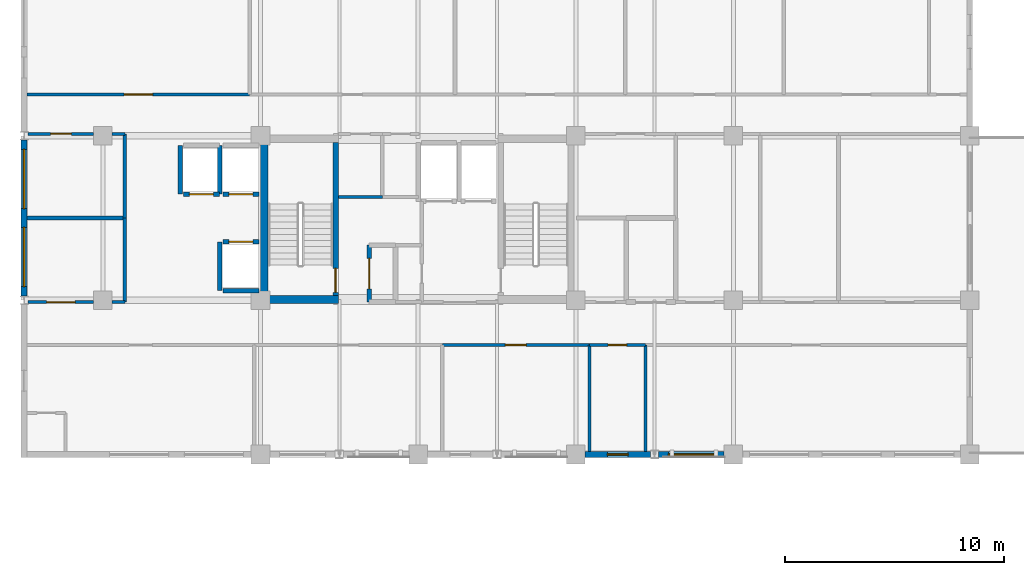
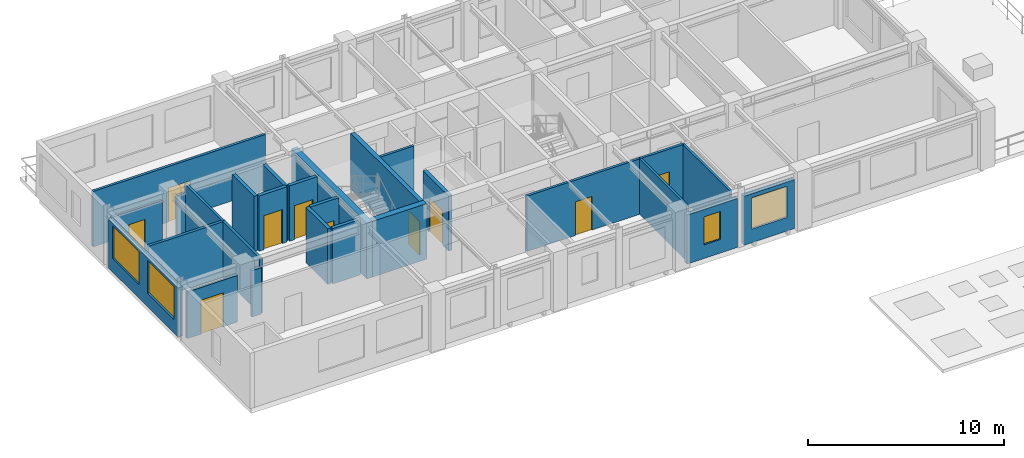
# One storey, part 3 of 8: 27 walls, 10 doors, 4 windows, 14 openings.
"""IFC4 building model written with IfcOpenShell, lengths in metres."""

from ifc_helpers import new_model, si_unit, direction, frame, frame_2d, origin, place, context, subcontext, project, spatial, rectangle, extrude, material, layer, layer_set, type_object, element, fill, save


model = new_model("IFC4")

# Units and contexts
model_context = context("Model", 3, precision=1e-05, world=origin(), true_north=direction((0.0, 1.0)))
body_context = subcontext(model_context, "Body", "Model", "MODEL_VIEW")
ifc_project = project(units=[si_unit("LENGTHUNIT", "METRE"), si_unit("AREAUNIT", "SQUARE_METRE"), si_unit("VOLUMEUNIT", "CUBIC_METRE"), si_unit("PLANEANGLEUNIT", "RADIAN"), si_unit("MASSUNIT", "GRAM", prefix="KILO")], contexts=[model_context])

# Site, building, storey
site_placement = place(None, origin())
site = spatial("IfcSite", under=ifc_project, at=site_placement, CompositionType="ELEMENT")
building_placement = place(site_placement, origin())
building = spatial("IfcBuilding", under=site, at=building_placement, Name="Kaliganga Portal Commons", CompositionType="ELEMENT")
storey_placement = place(building_placement, frame((0.0, 0.0, 249.89990234375)))
storey = spatial("IfcBuildingStorey", under=building, at=storey_placement, Name="L64", CompositionType="ELEMENT", Elevation=249.89990234375)

# Walls
ifc_material_1 = material(Name="Concrete C50/60", Category="concrete")
ifc_layer_1 = layer(ifc_material_1, 0.35009765625)
ifc_layer_set_1 = layer_set([ifc_layer_1], Name="Concrete C50/60")
wall_type_1 = type_object("IfcWallType", Name="WL-CORE-350", PredefinedType="SHEAR", material=ifc_layer_set_1)
wall_1_placement = place(storey_placement, frame((14.574951171875, 28.5, 0.0), z_axis=(0.0, 0.0, 1.0), x_axis=(0.0, 1.0, 0.0)))
element("IfcWall", 1, at=wall_1_placement, inside=storey, type_object=wall_type_1, Name="Core A West Shear Wall L64", PredefinedType="SHEAR", context=body_context, shape_type="SweptSolid", body=[
    extrude(rectangle(XDim=7.699951171875, YDim=0.35009765625, at=frame_2d((3.85009765625, 0.0))), origin(), (0.0, 0.0, 1.0), 3.47509765625),
])
wall_2_placement = place(storey_placement, frame((14.75, 28.675048828125, 0.0), z_axis=(0.0, 0.0, 1.0), x_axis=(1.0, 0.0, 0.0)))
element("IfcWall", 2, at=wall_2_placement, inside=storey, type_object=wall_type_1, Name="Core A S-West Shear Wall L64", PredefinedType="SHEAR", context=body_context, shape_type="SweptSolid", body=[
    extrude(rectangle(XDim=3.199951171875, YDim=0.35009765625, at=frame_2d((1.60009765625, 0.0))), origin(), (0.0, 0.0, 1.0), 3.47509765625),
])

# Wall, opening, window
ifc_material_2 = material(Name="Insulated Aluminium-Clad Spandrel Assembly", Category="aluminium")
ifc_layer_2 = layer(ifc_material_2, 0.260009765625)
ifc_layer_set_2 = layer_set([ifc_layer_2], Name="Insulated Aluminium-Clad Spandrel Assembly")
wall_type_2 = type_object("IfcWallType", Name="WL-EXT-SPAND-260", PredefinedType="STANDARD", material=ifc_layer_set_2)
wall_3_placement = place(storey_placement, frame((32.2119140625, 21.60009765625, 0.0), z_axis=(0.0, 0.0, 1.0), x_axis=(-1.0, 0.0, 0.0)))
wall_3 = element("IfcWall", 3, at=wall_3_placement, inside=storey, type_object=wall_type_2, Name="Exterior Envelope Wall L64 P1-E00-S6", PredefinedType="STANDARD", context=body_context, shape_type="SweptSolid", body=[
    extrude(rectangle(XDim=2.98583984375, YDim=0.260009765625, at=frame_2d((1.492919921875, 0.0))), origin(), (0.0, 0.0, 1.0), 3.05517578125),
])
opening_1_placement = place(wall_3_placement, frame((1.01806640625, 0.0, 0.85009765625)))
opening_1 = element("IfcOpeningElement", 4, at=opening_1_placement, cuts=wall_3, Name="Opening W-04", PredefinedType="OPENING", context=body_context, shape_type="SweptSolid", body=[
    extrude(rectangle(XDim=0.949951171875, YDim=1.75, at=frame_2d((0.47509765625, 0.875))), frame((0.0, 0.14013671875, 0.0), z_axis=(0.0, -1.0, 0.0), x_axis=(1.0, 0.0, 0.0)), (0.0, 0.0, 1.0), 0.280029296875),
])
ifc_material_3 = material(Name="Thermally Broken Aluminium and Low-E Double Glazing", Category="aluminium")
window_type_1 = type_object("IfcWindowType", Name="WIN-NARROW-950", PartitioningType="SINGLE_PANEL", PredefinedType="WINDOW", material=ifc_material_3)
window_1_placement = place(opening_1_placement, origin())
window_1 = element("IfcWindow", 5, at=window_1_placement, inside=storey, type_object=window_type_1, Name="Facade Window L64-P1E00S6-N0", OverallHeight=1.75, OverallWidth=0.949951171875, PartitioningType="SINGLE_PANEL", PredefinedType="WINDOW", context=body_context, shape_type="SweptSolid", body=[
    extrude(rectangle(XDim=0.949951171875, YDim=1.75, at=frame_2d((0.47509765625, 0.875))), frame((0.0, 0.030029296875, 0.0), z_axis=(0.0, -1.0, 0.0), x_axis=(1.0, 0.0, 0.0)), (0.0, 0.0, 1.0), 0.06005859375),
])
fill(opening_1, window_1)

wall_4_placement = place(storey_placement, frame((35.573974609375, 21.60009765625, 0.0), z_axis=(0.0, 0.0, 1.0), x_axis=(-1.0, 0.0, 0.0)))
wall_4 = element("IfcWall", 6, at=wall_4_placement, inside=storey, type_object=wall_type_2, Name="Exterior Envelope Wall L64 P1-E00-S7", PredefinedType="STANDARD", context=body_context, shape_type="SweptSolid", body=[
    extrude(rectangle(XDim=2.986083984375, YDim=0.260009765625, at=frame_2d((1.4931640625, 0.0))), origin(), (0.0, 0.0, 1.0), 3.05517578125),
])
opening_2_placement = place(wall_4_placement, frame((0.443115234375, 0.0, 0.85009765625)))
opening_2 = element("IfcOpeningElement", 7, at=opening_2_placement, cuts=wall_4, Name="Opening W-06", PredefinedType="OPENING", context=body_context, shape_type="SweptSolid", body=[
    extrude(rectangle(XDim=2.10009765625, YDim=1.949951171875, at=frame_2d((1.050048828125, 0.97509765625))), frame((0.0, 0.14013671875, 0.0), z_axis=(0.0, -1.0, 0.0), x_axis=(1.0, 0.0, 0.0)), (0.0, 0.0, 1.0), 0.280029296875),
])
window_type_2 = type_object("IfcWindowType", Name="WIN-PAN-2100", PartitioningType="DOUBLE_PANEL_VERTICAL", PredefinedType="WINDOW", material=ifc_material_3)
window_2_placement = place(opening_2_placement, origin())
window_2 = element("IfcWindow", 8, at=window_2_placement, inside=storey, type_object=window_type_2, Name="Facade Window L64-P1E00S7-00", OverallHeight=1.949951171875, OverallWidth=2.10009765625, PartitioningType="SINGLE_PANEL", PredefinedType="WINDOW", context=body_context, shape_type="SweptSolid", body=[
    extrude(rectangle(XDim=2.10009765625, YDim=1.949951171875, at=frame_2d((1.050048828125, 0.97509765625))), frame((0.0, 0.030029296875, 0.0), z_axis=(0.0, -1.0, 0.0), x_axis=(1.0, 0.0, 0.0)), (0.0, 0.0, 1.0), 0.06005859375),
])
fill(opening_2, window_2)

# Wall, openings, windows
wall_5_placement = place(storey_placement, frame((3.60009765625, 28.8369140625, 0.0), z_axis=(0.0, 0.0, 1.0), x_axis=(0.0, 1.0, 0.0)))
wall_5 = element("IfcWall", 9, at=wall_5_placement, inside=storey, type_object=wall_type_2, Name="Exterior Envelope Wall L64 P1-E03-S2", PredefinedType="STANDARD", context=body_context, shape_type="SweptSolid", body=[
    extrude(rectangle(XDim=7.1259765625, YDim=0.260009765625, at=frame_2d((3.56298828125, 0.0))), origin(), (0.0, 0.0, 1.0), 3.05517578125),
])
opening_3_placement = place(wall_5_placement, frame((0.431396484375, 0.0, 0.85009765625)))
opening_3 = element("IfcOpeningElement", 10, at=opening_3_placement, cuts=wall_5, Name="Opening W-07", PredefinedType="OPENING", context=body_context, shape_type="SweptSolid", body=[
    extrude(rectangle(XDim=2.699951171875, YDim=2.050048828125, at=frame_2d((1.35009765625, 1.02490234375))), frame((0.0, 0.14013671875, 0.0), z_axis=(0.0, -1.0, 0.0), x_axis=(1.0, 0.0, 0.0)), (0.0, 0.0, 1.0), 0.280029296875),
])
opening_4_placement = place(wall_5_placement, frame((3.994384765625, 0.0, 0.85009765625)))
opening_4 = element("IfcOpeningElement", 11, at=opening_4_placement, cuts=wall_5, Name="Opening W-07", PredefinedType="OPENING", context=body_context, shape_type="SweptSolid", body=[
    extrude(rectangle(XDim=2.699951171875, YDim=2.050048828125, at=frame_2d((1.35009765625, 1.02490234375))), frame((0.0, 0.14013671875, 0.0), z_axis=(0.0, -1.0, 0.0), x_axis=(1.0, 0.0, 0.0)), (0.0, 0.0, 1.0), 0.280029296875),
])
window_type_3 = type_object("IfcWindowType", Name="WIN-LOUNGE-2700", PartitioningType="TRIPLE_PANEL_VERTICAL", PredefinedType="WINDOW", material=ifc_material_3)
window_3_placement = place(opening_3_placement, origin())
window_3 = element("IfcWindow", 12, at=window_3_placement, inside=storey, type_object=window_type_3, Name="Facade Window L64-P1E03S2-00", OverallHeight=2.050048828125, OverallWidth=2.699951171875, PartitioningType="SINGLE_PANEL", PredefinedType="WINDOW", context=body_context, shape_type="SweptSolid", body=[
    extrude(rectangle(XDim=2.699951171875, YDim=2.050048828125, at=frame_2d((1.35009765625, 1.02490234375))), frame((0.0, 0.030029296875, 0.0), z_axis=(0.0, -1.0, 0.0), x_axis=(1.0, 0.0, 0.0)), (0.0, 0.0, 1.0), 0.06005859375),
])
fill(opening_3, window_3)
window_4_placement = place(opening_4_placement, origin())
window_4 = element("IfcWindow", 13, at=window_4_placement, inside=storey, type_object=window_type_3, Name="Facade Window L64-P1E03S2-01", OverallHeight=2.050048828125, OverallWidth=2.699951171875, PartitioningType="SINGLE_PANEL", PredefinedType="WINDOW", context=body_context, shape_type="SweptSolid", body=[
    extrude(rectangle(XDim=2.699951171875, YDim=2.050048828125, at=frame_2d((1.35009765625, 1.02490234375))), frame((0.0, 0.030029296875, 0.0), z_axis=(0.0, -1.0, 0.0), x_axis=(1.0, 0.0, 0.0)), (0.0, 0.0, 1.0), 0.06005859375),
])
fill(opening_4, window_4)

# Wall, opening, door
ifc_material_4 = material(Name="Fire-Rated Gypsum Board on Steel Stud", Category="steel")
ifc_layer_3 = layer(ifc_material_4, 0.14990234375)
ifc_layer_set_3 = layer_set([ifc_layer_3], Name="Fire-Rated Gypsum Board on Steel Stud")
wall_type_3 = type_object("IfcWallType", Name="WL-PART-CORR-150", PredefinedType="PARTITIONING", material=ifc_layer_set_3)
wall_6_placement = place(storey_placement, frame((3.73193359375, 38.0400390625, 0.0), z_axis=(0.0, 0.0, 1.0), x_axis=(1.0, 0.0, 0.0)))
wall_6 = element("IfcWall", 14, at=wall_6_placement, inside=storey, type_object=wall_type_3, Name="Interior Partition L64-005", PredefinedType="PARTITIONING", context=body_context, shape_type="SweptSolid", body=[
    extrude(rectangle(XDim=10.16796875, YDim=0.14990234375, at=frame_2d((5.083984375, 0.0))), origin(), (0.0, 0.0, 1.0), 3.455078125),
])
opening_5_placement = place(wall_6_placement, frame((4.43408203125, 0.0, 0.0)))
opening_5 = element("IfcOpeningElement", 15, at=opening_5_placement, cuts=wall_6, Name="Opening RD-03", PredefinedType="OPENING", context=body_context, shape_type="SweptSolid", body=[
    extrude(rectangle(XDim=1.300048828125, YDim=2.1201171875, at=frame_2d((0.64990234375, 1.06005859375))), frame((0.0, 0.0849609375, 0.0), z_axis=(0.0, -1.0, 0.0), x_axis=(1.0, 0.0, 0.0)), (0.0, 0.0, 1.0), 0.169921875),
])
ifc_material_5 = material(Name="Glazed Timber Seminar Vision Door", Category="wood")
door_type_1 = type_object("IfcDoorType", Name="DR-STUDY-1300", OperationType="DOUBLE_DOOR_SINGLE_SWING", PredefinedType="DOOR", material=ifc_material_5)
door_1_placement = place(opening_5_placement, origin())
door_1 = element("IfcDoor", 16, at=door_1_placement, inside=storey, type_object=door_type_1, Name="Interior Door L64-AN01", OperationType="DOUBLE_DOOR_SINGLE_SWING", OverallHeight=2.1201171875, OverallWidth=1.300048828125, PredefinedType="DOOR", context=body_context, shape_type="SweptSolid", body=[
    extrude(rectangle(XDim=1.300048828125, YDim=2.1201171875, at=frame_2d((0.64990234375, 1.06005859375))), frame((0.0, 0.02490234375, 0.0), z_axis=(0.0, -1.0, 0.0), x_axis=(1.0, 0.0, 0.0)), (0.0, 0.0, 1.0), 0.050048828125),
])
fill(opening_5, door_1)

wall_7_placement = place(storey_placement, frame((22.699951171875, 26.60009765625, 0.0), z_axis=(0.0, 0.0, 1.0), x_axis=(1.0, 0.0, 0.0)))
wall_7 = element("IfcWall", 17, at=wall_7_placement, inside=storey, type_object=wall_type_3, Name="Interior Partition L64-010", PredefinedType="PARTITIONING", context=body_context, shape_type="SweptSolid", body=[
    extrude(rectangle(XDim=6.719970703125, YDim=0.14990234375, at=frame_2d((3.35986328125, 0.0))), origin(), (0.0, 0.0, 1.0), 3.455078125),
])
opening_6_placement = place(wall_7_placement, frame((2.885009765625, 0.0, 0.0)))
opening_6 = element("IfcOpeningElement", 18, at=opening_6_placement, cuts=wall_7, Name="Opening UD-01", PredefinedType="OPENING", context=body_context, shape_type="SweptSolid", body=[
    extrude(rectangle(XDim=0.949951171875, YDim=2.10009765625, at=frame_2d((0.47509765625, 1.050048828125))), frame((0.0, 0.0849609375, 0.0), z_axis=(0.0, -1.0, 0.0), x_axis=(1.0, 0.0, 0.0)), (0.0, 0.0, 1.0), 0.169921875),
])
ifc_material_6 = material(Name="Solid-Core Timber Acoustic Fire Door", Category="wood")
door_type_2 = type_object("IfcDoorType", Name="DR-UNIT-950", OperationType="NOTDEFINED", PredefinedType="DOOR", material=ifc_material_6)
door_2_placement = place(opening_6_placement, origin())
door_2 = element("IfcDoor", 19, at=door_2_placement, inside=storey, type_object=door_type_2, Name="Interior Door L64-AS03", OperationType="SINGLE_SWING_LEFT", OverallHeight=2.10009765625, OverallWidth=0.949951171875, PredefinedType="DOOR", context=body_context, shape_type="SweptSolid", body=[
    extrude(rectangle(XDim=0.949951171875, YDim=2.10009765625, at=frame_2d((0.47509765625, 1.050048828125))), frame((0.0, 0.02490234375, 0.0), z_axis=(0.0, -1.0, 0.0), x_axis=(1.0, 0.0, 0.0)), (0.0, 0.0, 1.0), 0.050048828125),
])
fill(opening_6, door_2)

wall_8_placement = place(storey_placement, frame((3.787109375, 28.56005859375, 0.0), z_axis=(0.0, 0.0, 1.0), x_axis=(1.0, 0.0, 0.0)))
wall_8 = element("IfcWall", 20, at=wall_8_placement, inside=storey, type_object=wall_type_3, Name="Interior Partition L64-014", PredefinedType="PARTITIONING", context=body_context, shape_type="SweptSolid", body=[
    extrude(rectangle(XDim=2.98779296875, YDim=0.14990234375, at=frame_2d((1.493896484375, 0.0))), origin(), (0.0, 0.0, 1.0), 2.905029296875),
])
opening_7_placement = place(wall_8_placement, frame((0.843994140625, 0.0, 0.0)))
opening_7 = element("IfcOpeningElement", 21, at=opening_7_placement, cuts=wall_8, Name="Opening RD-03", PredefinedType="OPENING", context=body_context, shape_type="SweptSolid", body=[
    extrude(rectangle(XDim=1.300048828125, YDim=2.1201171875, at=frame_2d((0.64990234375, 1.06005859375))), frame((0.0, 0.0849609375, 0.0), z_axis=(0.0, -1.0, 0.0), x_axis=(1.0, 0.0, 0.0)), (0.0, 0.0, 1.0), 0.169921875),
])
door_3_placement = place(opening_7_placement, origin())
door_3 = element("IfcDoor", 22, at=door_3_placement, inside=storey, type_object=door_type_1, Name="Interior Door L64-AW01", OperationType="DOUBLE_DOOR_SINGLE_SWING", OverallHeight=2.1201171875, OverallWidth=1.300048828125, PredefinedType="DOOR", context=body_context, shape_type="SweptSolid", body=[
    extrude(rectangle(XDim=1.300048828125, YDim=2.1201171875, at=frame_2d((0.64990234375, 1.06005859375))), frame((0.0, 0.02490234375, 0.0), z_axis=(0.0, -1.0, 0.0), x_axis=(1.0, 0.0, 0.0)), (0.0, 0.0, 1.0), 0.050048828125),
])
fill(opening_7, door_3)

# Wall
wall_9_placement = place(storey_placement, frame((7.625, 28.56005859375, 0.0), z_axis=(0.0, 0.0, 1.0), x_axis=(1.0, 0.0, 0.0)))
element("IfcWall", 23, at=wall_9_placement, inside=storey, type_object=wall_type_3, Name="Interior Partition L64-015", PredefinedType="PARTITIONING", context=body_context, shape_type="SweptSolid", body=[
    extrude(rectangle(XDim=0.574951171875, YDim=0.14990234375, at=frame_2d((0.28759765625, 0.0))), origin(), (0.0, 0.0, 1.0), 2.905029296875),
])

# Wall, opening, door
wall_10_placement = place(storey_placement, frame((3.787109375, 36.239990234375, 0.0), z_axis=(0.0, 0.0, 1.0), x_axis=(1.0, 0.0, 0.0)))
wall_10 = element("IfcWall", 24, at=wall_10_placement, inside=storey, type_object=wall_type_3, Name="Interior Partition L64-016", PredefinedType="PARTITIONING", context=body_context, shape_type="SweptSolid", body=[
    extrude(rectangle(XDim=2.98779296875, YDim=0.14990234375, at=frame_2d((1.493896484375, 0.0))), origin(), (0.0, 0.0, 1.0), 2.905029296875),
])
opening_8_placement = place(wall_10_placement, frame((1.01904296875, 0.0, 0.0)))
opening_8 = element("IfcOpeningElement", 25, at=opening_8_placement, cuts=wall_10, Name="Opening UD-01", PredefinedType="OPENING", context=body_context, shape_type="SweptSolid", body=[
    extrude(rectangle(XDim=0.949951171875, YDim=2.10009765625, at=frame_2d((0.47509765625, 1.050048828125))), frame((0.0, 0.0849609375, 0.0), z_axis=(0.0, -1.0, 0.0), x_axis=(1.0, 0.0, 0.0)), (0.0, 0.0, 1.0), 0.169921875),
])
door_4_placement = place(opening_8_placement, origin())
door_4 = element("IfcDoor", 26, at=door_4_placement, inside=storey, type_object=door_type_2, Name="Interior Door L64-AW02", OperationType="SINGLE_SWING_LEFT", OverallHeight=2.10009765625, OverallWidth=0.949951171875, PredefinedType="DOOR", context=body_context, shape_type="SweptSolid", body=[
    extrude(rectangle(XDim=0.949951171875, YDim=2.10009765625, at=frame_2d((0.47509765625, 1.050048828125))), frame((0.0, 0.02490234375, 0.0), z_axis=(0.0, -1.0, 0.0), x_axis=(1.0, 0.0, 0.0)), (0.0, 0.0, 1.0), 0.050048828125),
])
fill(opening_8, door_4)

# Walls
wall_11_placement = place(storey_placement, frame((7.625, 36.239990234375, 0.0), z_axis=(0.0, 0.0, 1.0), x_axis=(1.0, 0.0, 0.0)))
element("IfcWall", 27, at=wall_11_placement, inside=storey, type_object=wall_type_3, Name="Interior Partition L64-017", PredefinedType="PARTITIONING", context=body_context, shape_type="SweptSolid", body=[
    extrude(rectangle(XDim=0.574951171875, YDim=0.14990234375, at=frame_2d((0.28759765625, 0.0))), origin(), (0.0, 0.0, 1.0), 2.905029296875),
])
wall_12_placement = place(storey_placement, frame((8.199951171875, 32.39990234375, 0.0), z_axis=(0.0, 0.0, 1.0), x_axis=(0.0, 1.0, 0.0)))
element("IfcWall", 28, at=wall_12_placement, inside=storey, type_object=wall_type_3, Name="Interior Partition L64-023", PredefinedType="PARTITIONING", context=body_context, shape_type="SweptSolid", body=[
    extrude(rectangle(XDim=3.840087890625, YDim=0.14990234375, at=frame_2d((1.919921875, 0.0))), origin(), (0.0, 0.0, 1.0), 3.455078125),
])
wall_13_placement = place(storey_placement, frame((8.199951171875, 28.56005859375, 0.0), z_axis=(0.0, 0.0, 1.0), x_axis=(0.0, 1.0, 0.0)))
element("IfcWall", 29, at=wall_13_placement, inside=storey, type_object=wall_type_3, Name="Interior Partition L64-024", PredefinedType="PARTITIONING", context=body_context, shape_type="SweptSolid", body=[
    extrude(rectangle(XDim=3.83984375, YDim=0.14990234375, at=frame_2d((1.919921875, 0.0))), origin(), (0.0, 0.0, 1.0), 3.455078125),
])

# Wall, opening, door
wall_14_placement = place(storey_placement, frame((29.419921875, 26.60009765625, 0.0), z_axis=(0.0, 0.0, 1.0), x_axis=(1.0, 0.0, 0.0)))
wall_14 = element("IfcWall", 30, at=wall_14_placement, inside=storey, type_object=wall_type_3, Name="Interior Partition L64-029", PredefinedType="PARTITIONING", context=body_context, shape_type="SweptSolid", body=[
    extrude(rectangle(XDim=2.56005859375, YDim=0.14990234375, at=frame_2d((1.280029296875, 0.0))), origin(), (0.0, 0.0, 1.0), 3.455078125),
])
opening_9_placement = place(wall_14_placement, frame((0.85498046875, 0.0, 0.0)))
opening_9 = element("IfcOpeningElement", 31, at=opening_9_placement, cuts=wall_14, Name="Opening WD-01", PredefinedType="OPENING", context=body_context, shape_type="SweptSolid", body=[
    extrude(rectangle(XDim=0.85009765625, YDim=2.0400390625, at=frame_2d((0.425048828125, 1.02001953125))), frame((0.0, 0.0849609375, 0.0), z_axis=(0.0, -1.0, 0.0), x_axis=(1.0, 0.0, 0.0)), (0.0, 0.0, 1.0), 0.169921875),
])
ifc_material_7 = material(Name="Moisture-Resistant Laminate Timber Door", Category="wood")
door_type_3 = type_object("IfcDoorType", Name="DR-WET-850", OperationType="NOTDEFINED", PredefinedType="DOOR", material=ifc_material_7)
door_5_placement = place(opening_9_placement, origin())
door_5 = element("IfcDoor", 32, at=door_5_placement, inside=storey, type_object=door_type_3, Name="Interior Door L64-AS04", OperationType="SINGLE_SWING_LEFT", OverallHeight=2.0400390625, OverallWidth=0.85009765625, PredefinedType="DOOR", context=body_context, shape_type="SweptSolid", body=[
    extrude(rectangle(XDim=0.85009765625, YDim=2.0400390625, at=frame_2d((0.425048828125, 1.02001953125))), frame((0.0, 0.02490234375, 0.0), z_axis=(0.0, -1.0, 0.0), x_axis=(1.0, 0.0, 0.0)), (0.0, 0.0, 1.0), 0.050048828125),
])
fill(opening_9, door_5)

# Wall
wall_15_placement = place(storey_placement, frame((17.9599609375, 33.360107421875, 0.0), z_axis=(0.0, 0.0, 1.0), x_axis=(1.0, 0.0, 0.0)))
element("IfcWall", 33, at=wall_15_placement, inside=storey, type_object=wall_type_3, Name="Interior Partition L64-032", PredefinedType="PARTITIONING", context=body_context, shape_type="SweptSolid", body=[
    extrude(rectangle(XDim=2.0, YDim=0.14990234375, at=frame_2d((1.0, 0.0))), origin(), (0.0, 0.0, 1.0), 3.455078125),
])

# Wall, opening, door
ifc_material_8 = material(Name="Lightweight blockwork masonry", Category="masonry")
ifc_layer_4 = layer(ifc_material_8, 0.215087890625)
ifc_layer_set_4 = layer_set([ifc_layer_4], Name="Lightweight blockwork masonry")
wall_type_4 = type_object("IfcWallType", Name="WL-PART-PLANT-215", PredefinedType="PARTITIONING", material=ifc_layer_set_4)
wall_16_placement = place(storey_placement, frame((19.360107421875, 28.56005859375, 0.0), z_axis=(0.0, 0.0, 1.0), x_axis=(0.0, 1.0, 0.0)))
wall_16 = element("IfcWall", 34, at=wall_16_placement, inside=storey, type_object=wall_type_4, Name="Interior Partition L64-027", PredefinedType="PARTITIONING", context=body_context, shape_type="SweptSolid", body=[
    extrude(rectangle(XDim=2.599853515625, YDim=0.215087890625, at=frame_2d((1.2998046875, 0.0))), origin(), (0.0, 0.0, 1.0), 3.455078125),
])
opening_10_placement = place(wall_16_placement, frame((0.60009765625, 0.0, 0.0)))
opening_10 = element("IfcOpeningElement", 35, at=opening_10_placement, cuts=wall_16, Name="Opening PD-01", PredefinedType="OPENING", context=body_context, shape_type="SweptSolid", body=[
    extrude(rectangle(XDim=1.39990234375, YDim=2.14990234375, at=frame_2d((0.699951171875, 1.074951171875))), frame((0.0, 0.11767578125, 0.0), z_axis=(0.0, -1.0, 0.0), x_axis=(1.0, 0.0, 0.0)), (0.0, 0.0, 1.0), 0.235107421875),
])
ifc_material_9 = material(Name="Heavy-Duty Steel Acoustic Louvre Fire Door", Category="steel")
door_type_4 = type_object("IfcDoorType", Name="DR-PLANT-1400", OperationType="DOUBLE_DOOR_SINGLE_SWING", PredefinedType="DOOR", material=ifc_material_9)
door_6_placement = place(opening_10_placement, origin())
door_6 = element("IfcDoor", 36, at=door_6_placement, inside=storey, type_object=door_type_4, Name="Interior Door L64-CIN_A1", OperationType="DOUBLE_DOOR_SINGLE_SWING", OverallHeight=2.14990234375, OverallWidth=1.39990234375, PredefinedType="DOOR", context=body_context, shape_type="SweptSolid", body=[
    extrude(rectangle(XDim=1.39990234375, YDim=2.14990234375, at=frame_2d((0.699951171875, 1.074951171875))), frame((0.0, 0.02490234375, 0.0), z_axis=(0.0, -1.0, 0.0), x_axis=(1.0, 0.0, 0.0)), (0.0, 0.0, 1.0), 0.050048828125),
])
fill(opening_10, door_6)

# Walls
ifc_material_10 = material(Name="Twin-Stud Acoustic Gypsum Partition", Category="gypsum")
ifc_layer_5 = layer(ifc_material_10, 0.1650390625)
ifc_layer_set_5 = layer_set([ifc_layer_5], Name="Twin-Stud Acoustic Gypsum Partition")
wall_type_5 = type_object("IfcWallType", Name="WL-PART-UNIT-165", PredefinedType="PARTITIONING", material=ifc_layer_set_5)
wall_17_placement = place(storey_placement, frame((3.73193359375, 32.39990234375, 0.0), z_axis=(0.0, 0.0, 1.0), x_axis=(1.0, 0.0, 0.0)))
element("IfcWall", 37, at=wall_17_placement, inside=storey, type_object=wall_type_5, Name="Interior Partition L64-052", PredefinedType="PARTITIONING", context=body_context, shape_type="SweptSolid", body=[
    extrude(rectangle(XDim=4.468017578125, YDim=0.1650390625, at=frame_2d((2.23388671875, 0.0))), origin(), (0.0, 0.0, 1.0), 3.455078125),
])
ifc_material_11 = material(Name="Cement-Board Wet-Room Partition", Category="gypsum")
ifc_layer_6 = layer(ifc_material_11, 0.135009765625)
ifc_layer_set_6 = layer_set([ifc_layer_6], Name="Cement-Board Wet-Room Partition")
wall_type_6 = type_object("IfcWallType", Name="WL-PART-WET-135", PredefinedType="PARTITIONING", material=ifc_layer_set_6)
for number, where, z_axis, x_axis, name in (
    (38, (29.419921875, 21.73193359375, 0.0), (0.0, 0.0, 1.0), (0.0, 1.0, 0.0), "Interior Partition L64-050"),
    (39, (31.97998046875, 21.73193359375, 0.0), (0.0, 0.0, 1.0), (0.0, 1.0, 0.0), "Interior Partition L64-051"),
):
    element("IfcWall", number, at=place(storey_placement, frame(where, z_axis=z_axis, x_axis=x_axis)), inside=storey, type_object=wall_type_6, Name=name, PredefinedType="PARTITIONING", context=body_context, shape_type="SweptSolid", body=[
        extrude(rectangle(XDim=4.8681640625, YDim=0.135009765625, at=frame_2d((2.43408203125, 0.0))), origin(), (0.0, 0.0, 1.0), 3.455078125),
    ])

# Wall, opening, door
ifc_material_12 = material(Name="Fire-Rated Shaftwall Masonry Assembly", Category="masonry")
ifc_layer_7 = layer(ifc_material_12, 0.199951171875)
ifc_layer_set_7 = layer_set([ifc_layer_7], Name="Fire-Rated Shaftwall Masonry Assembly")
wall_type_7 = type_object("IfcWallType", Name="WL-SHAFT-200", PredefinedType="PARTITIONING", material=ifc_layer_set_7)
wall_18_placement = place(storey_placement, frame((12.675048828125, 33.485107421875, 0.0), z_axis=(0.0, 0.0, 1.0), x_axis=(1.0, 0.0, 0.0)))
wall_18 = element("IfcWall", 40, at=wall_18_placement, inside=storey, type_object=wall_type_7, Name="Lift PL-A3 Hoistway Shaft Wall L64-S", PredefinedType="PARTITIONING", context=body_context, shape_type="SweptSolid", body=[
    extrude(rectangle(XDim=1.64990234375, YDim=0.199951171875, at=frame_2d((0.824951171875, 0.0))), origin(), (0.0, 0.0, 1.0), 3.455078125),
])
opening_11_placement = place(wall_18_placement, frame((0.27490234375, 0.0, 0.0)))
opening_11 = element("IfcOpeningElement", 41, at=opening_11_placement, cuts=wall_18, Name="Opening LD-01", PredefinedType="OPENING", context=body_context, shape_type="SweptSolid", body=[
    extrude(rectangle(XDim=1.10009765625, YDim=2.1201171875, at=frame_2d((0.550048828125, 1.06005859375))), frame((0.0, 0.10986328125, 0.0), z_axis=(0.0, -1.0, 0.0), x_axis=(1.0, 0.0, 0.0)), (0.0, 0.0, 1.0), 0.219970703125),
])
ifc_material_13 = material(Name="Brushed Stainless Steel 316 Lift Landing Door", Category="steel")
door_type_5 = type_object("IfcDoorType", Name="DR-LIFT-1100", OperationType="SLIDING_TO_LEFT", PredefinedType="DOOR", material=ifc_material_13)
door_7_placement = place(opening_11_placement, origin())
door_7 = element("IfcDoor", 42, at=door_7_placement, inside=storey, type_object=door_type_5, Name="Lift PL-A3 Sliding Landing Door L64", OperationType="SLIDING_TO_LEFT", OverallHeight=2.1201171875, OverallWidth=1.10009765625, PredefinedType="DOOR", context=body_context, shape_type="SweptSolid", body=[
    extrude(rectangle(XDim=1.10009765625, YDim=2.1201171875, at=frame_2d((0.550048828125, 1.06005859375))), frame((0.0, 0.02490234375, 0.0), z_axis=(0.0, -1.0, 0.0), x_axis=(1.0, 0.0, 0.0)), (0.0, 0.0, 1.0), 0.050048828125),
])
fill(opening_11, door_7)

# Walls
wall_19_placement = place(storey_placement, frame((12.534912109375, 33.485107421875, 0.0), z_axis=(0.0, 0.0, 1.0), x_axis=(0.0, 1.0, 0.0)))
element("IfcWall", 43, at=wall_19_placement, inside=storey, type_object=wall_type_7, Name="Lift PL-A3 Hoistway Shaft Wall L64-W", PredefinedType="PARTITIONING", context=body_context, shape_type="SweptSolid", body=[
    extrude(rectangle(XDim=2.22998046875, YDim=0.199951171875, at=frame_2d((1.114990234375, 0.0))), origin(), (0.0, 0.0, 1.0), 3.455078125),
])
wall_20_placement = place(storey_placement, frame((12.675048828125, 29.0849609375, 0.0), z_axis=(0.0, 0.0, 1.0), x_axis=(1.0, 0.0, 0.0)))
element("IfcWall", 44, at=wall_20_placement, inside=storey, type_object=wall_type_7, Name="Lift PL-A4 Hoistway Shaft Wall L64-S", PredefinedType="PARTITIONING", context=body_context, shape_type="SweptSolid", body=[
    extrude(rectangle(XDim=1.64990234375, YDim=0.199951171875, at=frame_2d((0.824951171875, 0.0))), origin(), (0.0, 0.0, 1.0), 3.455078125),
])

# Wall, opening, door
wall_21_placement = place(storey_placement, frame((12.675048828125, 31.31494140625, 0.0), z_axis=(0.0, 0.0, 1.0), x_axis=(1.0, 0.0, 0.0)))
wall_21 = element("IfcWall", 45, at=wall_21_placement, inside=storey, type_object=wall_type_7, Name="Lift PL-A4 Hoistway Shaft Wall L64-N", PredefinedType="PARTITIONING", context=body_context, shape_type="SweptSolid", body=[
    extrude(rectangle(XDim=1.64990234375, YDim=0.199951171875, at=frame_2d((0.824951171875, 0.0))), origin(), (0.0, 0.0, 1.0), 3.455078125),
])
opening_12_placement = place(wall_21_placement, frame((0.27490234375, 0.0, 0.0)))
opening_12 = element("IfcOpeningElement", 46, at=opening_12_placement, cuts=wall_21, Name="Opening LD-01", PredefinedType="OPENING", context=body_context, shape_type="SweptSolid", body=[
    extrude(rectangle(XDim=1.10009765625, YDim=2.1201171875, at=frame_2d((0.550048828125, 1.06005859375))), frame((0.0, 0.10986328125, 0.0), z_axis=(0.0, -1.0, 0.0), x_axis=(1.0, 0.0, 0.0)), (0.0, 0.0, 1.0), 0.219970703125),
])
door_8_placement = place(opening_12_placement, origin())
door_8 = element("IfcDoor", 47, at=door_8_placement, inside=storey, type_object=door_type_5, Name="Lift PL-A4 Sliding Landing Door L64", OperationType="SLIDING_TO_LEFT", OverallHeight=2.1201171875, OverallWidth=1.10009765625, PredefinedType="DOOR", context=body_context, shape_type="SweptSolid", body=[
    extrude(rectangle(XDim=1.10009765625, YDim=2.1201171875, at=frame_2d((0.550048828125, 1.06005859375))), frame((0.0, 0.02490234375, 0.0), z_axis=(0.0, -1.0, 0.0), x_axis=(1.0, 0.0, 0.0)), (0.0, 0.0, 1.0), 0.050048828125),
])
fill(opening_12, door_8)

# Wall
wall_22_placement = place(storey_placement, frame((12.534912109375, 29.0849609375, 0.0), z_axis=(0.0, 0.0, 1.0), x_axis=(0.0, 1.0, 0.0)))
element("IfcWall", 48, at=wall_22_placement, inside=storey, type_object=wall_type_7, Name="Lift PL-A4 Hoistway Shaft Wall L64-W", PredefinedType="PARTITIONING", context=body_context, shape_type="SweptSolid", body=[
    extrude(rectangle(XDim=2.22998046875, YDim=0.199951171875, at=frame_2d((1.114990234375, 0.0))), origin(), (0.0, 0.0, 1.0), 3.455078125),
])

# Wall, opening, door
wall_23_placement = place(storey_placement, frame((10.875, 33.485107421875, 0.0), z_axis=(0.0, 0.0, 1.0), x_axis=(1.0, 0.0, 0.0)))
wall_23 = element("IfcWall", 49, at=wall_23_placement, inside=storey, type_object=wall_type_7, Name="Lift PL-OBS Hoistway Shaft Wall L64-S", PredefinedType="PARTITIONING", context=body_context, shape_type="SweptSolid", body=[
    extrude(rectangle(XDim=1.64990234375, YDim=0.199951171875, at=frame_2d((0.824951171875, 0.0))), origin(), (0.0, 0.0, 1.0), 3.455078125),
])
opening_13_placement = place(wall_23_placement, frame((0.27490234375, 0.0, 0.0)))
opening_13 = element("IfcOpeningElement", 50, at=opening_13_placement, cuts=wall_23, Name="Opening LD-01", PredefinedType="OPENING", context=body_context, shape_type="SweptSolid", body=[
    extrude(rectangle(XDim=1.10009765625, YDim=2.1201171875, at=frame_2d((0.550048828125, 1.06005859375))), frame((0.0, 0.10986328125, 0.0), z_axis=(0.0, -1.0, 0.0), x_axis=(1.0, 0.0, 0.0)), (0.0, 0.0, 1.0), 0.219970703125),
])
door_9_placement = place(opening_13_placement, origin())
door_9 = element("IfcDoor", 51, at=door_9_placement, inside=storey, type_object=door_type_5, Name="Lift PL-OBS Sliding Landing Door L64", OperationType="SLIDING_TO_LEFT", OverallHeight=2.1201171875, OverallWidth=1.10009765625, PredefinedType="DOOR", context=body_context, shape_type="SweptSolid", body=[
    extrude(rectangle(XDim=1.10009765625, YDim=2.1201171875, at=frame_2d((0.550048828125, 1.06005859375))), frame((0.0, 0.02490234375, 0.0), z_axis=(0.0, -1.0, 0.0), x_axis=(1.0, 0.0, 0.0)), (0.0, 0.0, 1.0), 0.050048828125),
])
fill(opening_13, door_9)

# Wall
wall_24_placement = place(storey_placement, frame((10.735107421875, 33.485107421875, 0.0), z_axis=(0.0, 0.0, 1.0), x_axis=(0.0, 1.0, 0.0)))
element("IfcWall", 52, at=wall_24_placement, inside=storey, type_object=wall_type_7, Name="Lift PL-OBS Hoistway Shaft Wall L64-W", PredefinedType="PARTITIONING", context=body_context, shape_type="SweptSolid", body=[
    extrude(rectangle(XDim=2.22998046875, YDim=0.199951171875, at=frame_2d((1.114990234375, 0.0))), origin(), (0.0, 0.0, 1.0), 3.455078125),
])

# Wall, opening, door
ifc_layer_8 = layer(ifc_material_1, 0.25)
ifc_layer_set_8 = layer_set([ifc_layer_8], Name="Concrete C50/60")
wall_type_8 = type_object("IfcWallType", Name="WL-STAIR-250", PredefinedType="SHEAR", material=ifc_layer_set_8)
wall_25_placement = place(storey_placement, frame((17.824951171875, 28.85009765625, 0.0), z_axis=(0.0, 0.0, 1.0), x_axis=(0.0, 1.0, 0.0)))
wall_25 = element("IfcWall", 53, at=wall_25_placement, inside=storey, type_object=wall_type_8, Name="Stair A1 Enclosure Shear Wall L64", PredefinedType="SHEAR", context=body_context, shape_type="SweptSolid", body=[
    extrude(rectangle(XDim=7.0, YDim=0.25, at=frame_2d((3.5, 0.0))), origin(), (0.0, 0.0, 1.0), 3.47509765625),
])
opening_14_placement = place(wall_25_placement, frame((0.14990234375, 0.0, 0.0)))
opening_14 = element("IfcOpeningElement", 54, at=opening_14_placement, cuts=wall_25, Name="Opening SD-01", PredefinedType="OPENING", context=body_context, shape_type="SweptSolid", body=[
    extrude(rectangle(XDim=1.10009765625, YDim=2.080078125, at=frame_2d((0.550048828125, 1.0400390625))), frame((0.0, 0.135009765625, 0.0), z_axis=(0.0, -1.0, 0.0), x_axis=(1.0, 0.0, 0.0)), (0.0, 0.0, 1.0), 0.27001953125),
])
ifc_material_14 = material(Name="Galvanized Steel Fire Door Leaf and Frame", Category="steel")
door_type_6 = type_object("IfcDoorType", Name="DR-STAIR-1100", OperationType="NOTDEFINED", PredefinedType="DOOR", material=ifc_material_14)
door_10_placement = place(opening_14_placement, origin())
door_10 = element("IfcDoor", 55, at=door_10_placement, inside=storey, type_object=door_type_6, Name="Protected Stair ST-A1 Fire Door L64", OperationType="SINGLE_SWING_RIGHT", OverallHeight=2.080078125, OverallWidth=1.10009765625, PredefinedType="DOOR", context=body_context, shape_type="SweptSolid", body=[
    extrude(rectangle(XDim=1.10009765625, YDim=2.080078125, at=frame_2d((0.550048828125, 1.0400390625))), frame((0.0, 0.02490234375, 0.0), z_axis=(0.0, -1.0, 0.0), x_axis=(1.0, 0.0, 0.0)), (0.0, 0.0, 1.0), 0.050048828125),
])
fill(opening_14, door_10)

save(model, "model.ifc")
